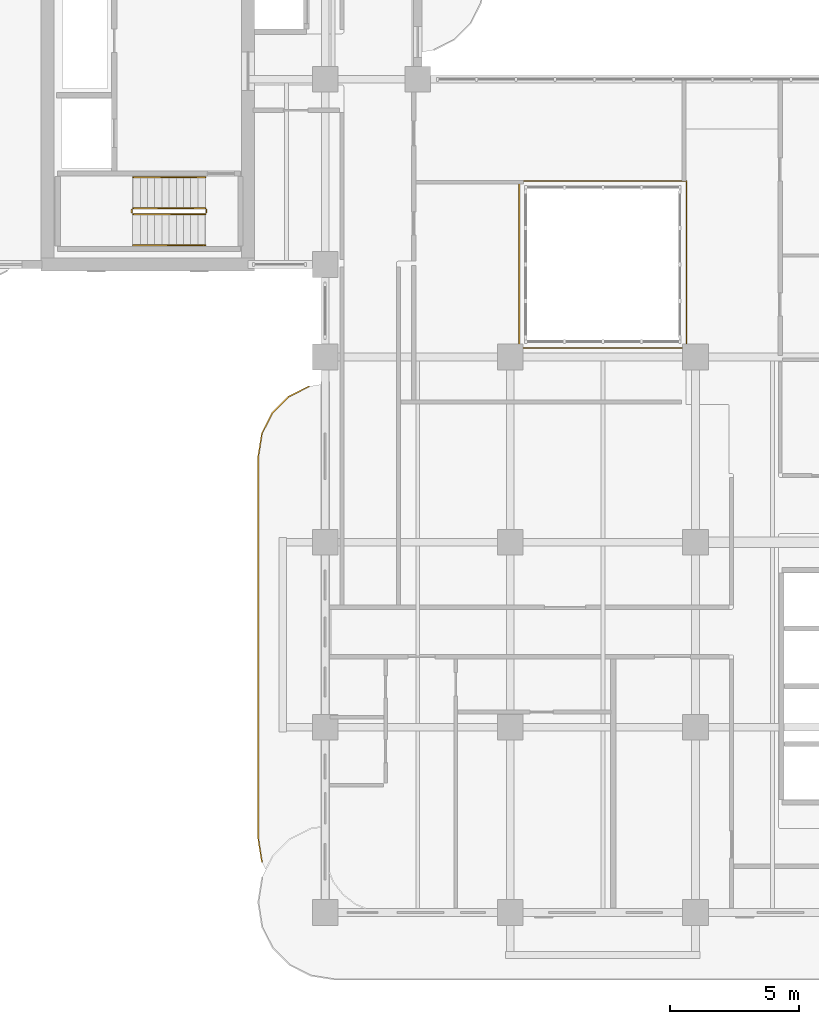
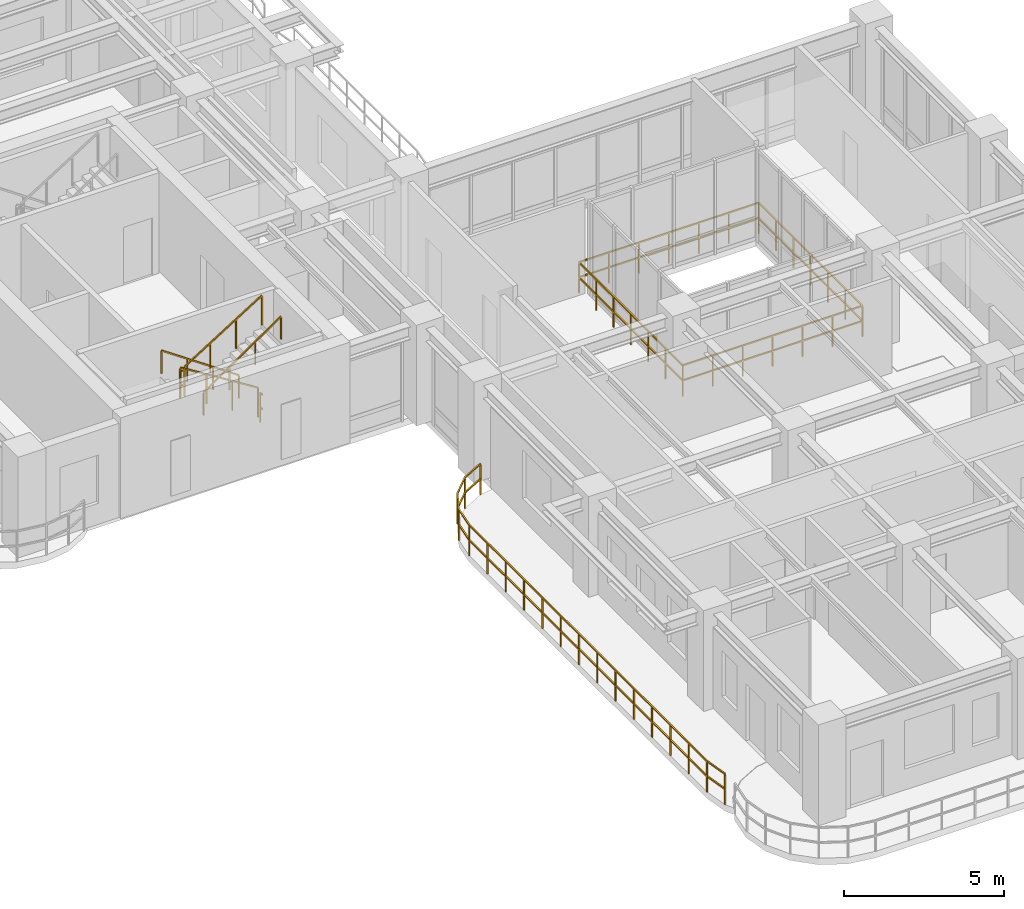
# One storey, part 16 of 20: 8 railings.
"""IFC4 building model written with IfcOpenShell, lengths in metres."""

from ifc_helpers import new_model, si_unit, derived_unit, direction, frame, origin, origin_2d, place, context, subcontext, project, spatial, rectangle, extrude, material, type_object, element, save


model = new_model("IFC4")

# Units and contexts
model_context = context("Model", 3, precision=1e-05, world=origin(), true_north=direction((0.0, 1.0)))
body_context = subcontext(model_context, "Body", "Model", "MODEL_VIEW")
ifc_project = project(units=[si_unit("LENGTHUNIT", "METRE"), si_unit("AREAUNIT", "SQUARE_METRE"), si_unit("VOLUMEUNIT", "CUBIC_METRE"), si_unit("PLANEANGLEUNIT", "RADIAN"), si_unit("MASSUNIT", "GRAM", prefix="KILO"), si_unit("THERMODYNAMICTEMPERATUREUNIT", "KELVIN"), si_unit("POWERUNIT", "WATT"), derived_unit("THERMALTRANSMITTANCEUNIT", [(si_unit("POWERUNIT", "WATT"), 1), (si_unit("AREAUNIT", "SQUARE_METRE"), -1), (si_unit("THERMODYNAMICTEMPERATUREUNIT", "KELVIN"), -1)])], contexts=[model_context])

# Site, building, storey
site_placement = place(None, origin())
site = spatial("IfcSite", under=ifc_project, at=site_placement, CompositionType="ELEMENT")
building_placement = place(site_placement, origin())
building = spatial("IfcBuilding", under=site, at=building_placement, Name="Zahravan Archway Hotel and Residences", CompositionType="ELEMENT")
storey_placement = place(building_placement, frame((0.0, 0.0, 154.14990234375)))
storey = spatial("IfcBuildingStorey", under=building, at=storey_placement, Name="L38", CompositionType="ELEMENT", Elevation=154.14990234375)

# Railings
ifc_material_1 = material(Name="Atrium Laminated Glass Guardrail", Category="glass")
railing_type_1 = type_object("IfcRailingType", Name="RL-ATR-1200", PredefinedType="BALUSTRADE", material=ifc_material_1)
railing_1_placement = place(storey_placement, frame((21.949951171875, 21.949951171875, 0.0)))
element("IfcRailing", 1, at=railing_1_placement, inside=storey, type_object=railing_type_1, Name="L38 Balustrade RL-ATR-L38", PredefinedType="BALUSTRADE", context=body_context, shape_type="SweptSolid", body=[
    extrude(rectangle(XDim=0.048095703125, YDim=0.048095703125, at=origin_2d()), frame((0.0, 0.0, 1.17578125), z_axis=(1.0, 0.0, 0.0), x_axis=(0.0, 1.0, 0.0)), (0.0, 0.0, 1.0), 6.5),
    extrude(rectangle(XDim=0.048095703125, YDim=0.048095703125, at=origin_2d()), frame((0.0, 0.0, 0.60009765625), z_axis=(1.0, 0.0, 0.0), x_axis=(0.0, 1.0, 0.0)), (0.0, 0.0, 1.0), 6.5),
    extrude(rectangle(XDim=0.048095703125, YDim=0.048095703125, at=origin_2d()), frame((6.5, 0.0, 1.17578125), z_axis=(0.0, 1.0, 0.0), x_axis=(-1.0, 0.0, 0.0)), (0.0, 0.0, 1.0), 6.5),
    extrude(rectangle(XDim=0.048095703125, YDim=0.048095703125, at=origin_2d()), frame((6.5, 0.0, 0.60009765625), z_axis=(0.0, 1.0, 0.0), x_axis=(-1.0, 0.0, 0.0)), (0.0, 0.0, 1.0), 6.5),
    extrude(rectangle(XDim=0.048095703125, YDim=0.048095703125, at=origin_2d()), frame((6.5, 6.5, 1.17578125), z_axis=(-1.0, 0.0, 0.0), x_axis=(0.0, -1.0, 0.0)), (0.0, 0.0, 1.0), 6.5),
    extrude(rectangle(XDim=0.048095703125, YDim=0.048095703125, at=origin_2d()), frame((6.5, 6.5, 0.60009765625), z_axis=(-1.0, 0.0, 0.0), x_axis=(0.0, -1.0, 0.0)), (0.0, 0.0, 1.0), 6.5),
    extrude(rectangle(XDim=0.048095703125, YDim=0.048095703125, at=origin_2d()), frame((0.0, 6.5, 1.17578125), z_axis=(0.0, -1.0, 0.0), x_axis=(1.0, 0.0, 0.0)), (0.0, 0.0, 1.0), 6.5),
    extrude(rectangle(XDim=0.048095703125, YDim=0.048095703125, at=origin_2d()), frame((0.0, 6.5, 0.60009765625), z_axis=(0.0, -1.0, 0.0), x_axis=(1.0, 0.0, 0.0)), (0.0, 0.0, 1.0), 6.5),
    extrude(rectangle(XDim=0.0419921875, YDim=0.0419921875, at=origin_2d()), origin(), (0.0, 0.0, 1.0), 1.15185546875),
    extrude(rectangle(XDim=0.0419921875, YDim=0.0419921875, at=origin_2d()), frame((1.083251953125, 0.0, 0.0)), (0.0, 0.0, 1.0), 1.15185546875),
    extrude(rectangle(XDim=0.0419921875, YDim=0.0419921875, at=origin_2d()), frame((2.166748046875, 0.0, 0.0)), (0.0, 0.0, 1.0), 1.15185546875),
    extrude(rectangle(XDim=0.0419921875, YDim=0.0419921875, at=origin_2d()), frame((3.25, 0.0, 0.0)), (0.0, 0.0, 1.0), 1.15185546875),
    extrude(rectangle(XDim=0.0419921875, YDim=0.0419921875, at=origin_2d()), frame((4.333251953125, 0.0, 0.0)), (0.0, 0.0, 1.0), 1.15185546875),
    extrude(rectangle(XDim=0.0419921875, YDim=0.0419921875, at=origin_2d()), frame((5.416748046875, 0.0, 0.0)), (0.0, 0.0, 1.0), 1.15185546875),
    extrude(rectangle(XDim=0.0419921875, YDim=0.0419921875, at=origin_2d()), frame((6.5, 0.0, 0.0)), (0.0, 0.0, 1.0), 1.15185546875),
    extrude(rectangle(XDim=0.0419921875, YDim=0.0419921875, at=origin_2d()), frame((6.5, 1.083251953125, 0.0)), (0.0, 0.0, 1.0), 1.15185546875),
    extrude(rectangle(XDim=0.0419921875, YDim=0.0419921875, at=origin_2d()), frame((6.5, 2.166748046875, 0.0)), (0.0, 0.0, 1.0), 1.15185546875),
    extrude(rectangle(XDim=0.0419921875, YDim=0.0419921875, at=origin_2d()), frame((6.5, 3.25, 0.0)), (0.0, 0.0, 1.0), 1.15185546875),
    extrude(rectangle(XDim=0.0419921875, YDim=0.0419921875, at=origin_2d()), frame((6.5, 4.333251953125, 0.0)), (0.0, 0.0, 1.0), 1.15185546875),
    extrude(rectangle(XDim=0.0419921875, YDim=0.0419921875, at=origin_2d()), frame((6.5, 5.416748046875, 0.0)), (0.0, 0.0, 1.0), 1.15185546875),
    extrude(rectangle(XDim=0.0419921875, YDim=0.0419921875, at=origin_2d()), frame((6.5, 6.5, 0.0)), (0.0, 0.0, 1.0), 1.15185546875),
    extrude(rectangle(XDim=0.0419921875, YDim=0.0419921875, at=origin_2d()), frame((5.416748046875, 6.5, 0.0)), (0.0, 0.0, 1.0), 1.15185546875),
    extrude(rectangle(XDim=0.0419921875, YDim=0.0419921875, at=origin_2d()), frame((4.333251953125, 6.5, 0.0)), (0.0, 0.0, 1.0), 1.15185546875),
    extrude(rectangle(XDim=0.0419921875, YDim=0.0419921875, at=origin_2d()), frame((3.25, 6.5, 0.0)), (0.0, 0.0, 1.0), 1.15185546875),
    extrude(rectangle(XDim=0.0419921875, YDim=0.0419921875, at=origin_2d()), frame((2.166748046875, 6.5, 0.0)), (0.0, 0.0, 1.0), 1.15185546875),
    extrude(rectangle(XDim=0.0419921875, YDim=0.0419921875, at=origin_2d()), frame((1.083251953125, 6.5, 0.0)), (0.0, 0.0, 1.0), 1.15185546875),
    extrude(rectangle(XDim=0.0419921875, YDim=0.0419921875, at=origin_2d()), frame((0.0, 6.5, 0.0)), (0.0, 0.0, 1.0), 1.15185546875),
    extrude(rectangle(XDim=0.0419921875, YDim=0.0419921875, at=origin_2d()), frame((0.0, 5.416748046875, 0.0)), (0.0, 0.0, 1.0), 1.15185546875),
    extrude(rectangle(XDim=0.0419921875, YDim=0.0419921875, at=origin_2d()), frame((0.0, 4.333251953125, 0.0)), (0.0, 0.0, 1.0), 1.15185546875),
    extrude(rectangle(XDim=0.0419921875, YDim=0.0419921875, at=origin_2d()), frame((0.0, 3.25, 0.0)), (0.0, 0.0, 1.0), 1.15185546875),
    extrude(rectangle(XDim=0.0419921875, YDim=0.0419921875, at=origin_2d()), frame((0.0, 2.166748046875, 0.0)), (0.0, 0.0, 1.0), 1.15185546875),
    extrude(rectangle(XDim=0.0419921875, YDim=0.0419921875, at=origin_2d()), frame((0.0, 1.083251953125, 0.0)), (0.0, 0.0, 1.0), 1.15185546875),
])
ifc_material_2 = material(Name="Bronze & Laminated Glass Balustrade", Category="glass")
railing_type_2 = type_object("IfcRailingType", Name="RL-BAL-1200", PredefinedType="BALUSTRADE", material=ifc_material_2)
railing_2_placement = place(storey_placement, frame((11.939453125, 1.96923828125, 0.0)))
element("IfcRailing", 2, at=railing_2_placement, inside=storey, type_object=railing_type_2, Name="L38 Balustrade RL-SLB-BAL-L38-WA-1", PredefinedType="BALUSTRADE", context=body_context, shape_type="SweptSolid", body=[
    extrude(rectangle(XDim=0.048095703125, YDim=0.048095703125, at=origin_2d()), frame((0.0, 0.0, 1.17578125), z_axis=(-0.156314005608, 0.987707411965, 0.0), x_axis=(-0.987707411965, -0.156314005608, 0.0)), (0.0, 0.0, 1.0), 0.891845703125),
    extrude(rectangle(XDim=0.048095703125, YDim=0.048095703125, at=origin_2d()), frame((0.0, 0.0, 0.60009765625), z_axis=(-0.156314005608, 0.987707411965, 0.0), x_axis=(-0.987707411965, -0.156314005608, 0.0)), (0.0, 0.0, 1.0), 0.891845703125),
    extrude(rectangle(XDim=0.048095703125, YDim=0.048095703125, at=origin_2d()), frame((-0.139404296875, 0.880859375, 1.17578125), z_axis=(0.0, 1.0, 0.0), x_axis=(-1.0, 0.0, 0.0)), (0.0, 0.0, 1.0), 14.89990234375),
    extrude(rectangle(XDim=0.048095703125, YDim=0.048095703125, at=origin_2d()), frame((-0.139404296875, 0.880859375, 0.60009765625), z_axis=(0.0, 1.0, 0.0), x_axis=(-1.0, 0.0, 0.0)), (0.0, 0.0, 1.0), 14.89990234375),
    extrude(rectangle(XDim=0.048095703125, YDim=0.048095703125, at=origin_2d()), frame((-0.139404296875, 15.78076171875, 1.17578125), z_axis=(0.156356282588, 0.987700720307, 0.0), x_axis=(-0.987700720307, 0.156356282588, 0.0)), (0.0, 0.0, 1.0), 0.8916015625),
    extrude(rectangle(XDim=0.048095703125, YDim=0.048095703125, at=origin_2d()), frame((-0.139404296875, 15.78076171875, 0.60009765625), z_axis=(0.156356282588, 0.987700720307, 0.0), x_axis=(-0.987700720307, 0.156356282588, 0.0)), (0.0, 0.0, 1.0), 0.8916015625),
    extrude(rectangle(XDim=0.048095703125, YDim=0.048095703125, at=origin_2d()), frame((0.0, 16.661376953125, 1.17578125), z_axis=(0.45388067135, 0.891062476022, 0.0), x_axis=(-0.891062476022, 0.45388067135, 0.0)), (0.0, 0.0, 1.0), 0.891845703125),
    extrude(rectangle(XDim=0.048095703125, YDim=0.048095703125, at=origin_2d()), frame((0.0, 16.661376953125, 0.60009765625), z_axis=(0.45388067135, 0.891062476022, 0.0), x_axis=(-0.891062476022, 0.45388067135, 0.0)), (0.0, 0.0, 1.0), 0.891845703125),
    extrude(rectangle(XDim=0.048095703125, YDim=0.048095703125, at=origin_2d()), frame((0.40478515625, 17.4560546875, 1.17578125), z_axis=(0.70724367147, 0.706969864397, 0.0), x_axis=(-0.706969864397, 0.70724367147, 0.0)), (0.0, 0.0, 1.0), 0.8916015625),
    extrude(rectangle(XDim=0.048095703125, YDim=0.048095703125, at=origin_2d()), frame((0.40478515625, 17.4560546875, 0.60009765625), z_axis=(0.70724367147, 0.706969864397, 0.0), x_axis=(-0.706969864397, 0.70724367147, 0.0)), (0.0, 0.0, 1.0), 0.8916015625),
    extrude(rectangle(XDim=0.048095703125, YDim=0.048095703125, at=origin_2d()), frame((1.035400390625, 18.08642578125, 1.17578125), z_axis=(0.891006060389, 0.453991409995, 0.0), x_axis=(-0.453991409995, 0.891006060389, 0.0)), (0.0, 0.0, 1.0), 0.8916015625),
    extrude(rectangle(XDim=0.048095703125, YDim=0.048095703125, at=origin_2d()), frame((1.035400390625, 18.08642578125, 0.60009765625), z_axis=(0.891006060389, 0.453991409995, 0.0), x_axis=(-0.453991409995, 0.891006060389, 0.0)), (0.0, 0.0, 1.0), 0.8916015625),
    extrude(rectangle(XDim=0.0419921875, YDim=0.0419921875, at=origin_2d()), origin(), (0.0, 0.0, 1.0), 1.15185546875),
    extrude(rectangle(XDim=0.0419921875, YDim=0.0419921875, at=origin_2d()), frame((-0.139404296875, 0.880859375, 0.0)), (0.0, 0.0, 1.0), 1.15185546875),
    extrude(rectangle(XDim=0.0419921875, YDim=0.0419921875, at=origin_2d()), frame((-0.139404296875, 2.027099609375, 0.0)), (0.0, 0.0, 1.0), 1.15185546875),
    extrude(rectangle(XDim=0.0419921875, YDim=0.0419921875, at=origin_2d()), frame((-0.139404296875, 3.173095703125, 0.0)), (0.0, 0.0, 1.0), 1.15185546875),
    extrude(rectangle(XDim=0.0419921875, YDim=0.0419921875, at=origin_2d()), frame((-0.139404296875, 4.3193359375, 0.0)), (0.0, 0.0, 1.0), 1.15185546875),
    extrude(rectangle(XDim=0.0419921875, YDim=0.0419921875, at=origin_2d()), frame((-0.139404296875, 5.46533203125, 0.0)), (0.0, 0.0, 1.0), 1.15185546875),
    extrude(rectangle(XDim=0.0419921875, YDim=0.0419921875, at=origin_2d()), frame((-0.139404296875, 6.611572265625, 0.0)), (0.0, 0.0, 1.0), 1.15185546875),
    extrude(rectangle(XDim=0.0419921875, YDim=0.0419921875, at=origin_2d()), frame((-0.139404296875, 7.7578125, 0.0)), (0.0, 0.0, 1.0), 1.15185546875),
    extrude(rectangle(XDim=0.0419921875, YDim=0.0419921875, at=origin_2d()), frame((-0.139404296875, 8.90380859375, 0.0)), (0.0, 0.0, 1.0), 1.15185546875),
    extrude(rectangle(XDim=0.0419921875, YDim=0.0419921875, at=origin_2d()), frame((-0.139404296875, 10.050048828125, 0.0)), (0.0, 0.0, 1.0), 1.15185546875),
    extrude(rectangle(XDim=0.0419921875, YDim=0.0419921875, at=origin_2d()), frame((-0.139404296875, 11.1962890625, 0.0)), (0.0, 0.0, 1.0), 1.15185546875),
    extrude(rectangle(XDim=0.0419921875, YDim=0.0419921875, at=origin_2d()), frame((-0.139404296875, 12.34228515625, 0.0)), (0.0, 0.0, 1.0), 1.15185546875),
    extrude(rectangle(XDim=0.0419921875, YDim=0.0419921875, at=origin_2d()), frame((-0.139404296875, 13.488525390625, 0.0)), (0.0, 0.0, 1.0), 1.15185546875),
    extrude(rectangle(XDim=0.0419921875, YDim=0.0419921875, at=origin_2d()), frame((-0.139404296875, 14.634521484375, 0.0)), (0.0, 0.0, 1.0), 1.15185546875),
    extrude(rectangle(XDim=0.0419921875, YDim=0.0419921875, at=origin_2d()), frame((-0.139404296875, 15.78076171875, 0.0)), (0.0, 0.0, 1.0), 1.15185546875),
    extrude(rectangle(XDim=0.0419921875, YDim=0.0419921875, at=origin_2d()), frame((0.0, 16.661376953125, 0.0)), (0.0, 0.0, 1.0), 1.15185546875),
    extrude(rectangle(XDim=0.0419921875, YDim=0.0419921875, at=origin_2d()), frame((0.40478515625, 17.4560546875, 0.0)), (0.0, 0.0, 1.0), 1.15185546875),
    extrude(rectangle(XDim=0.0419921875, YDim=0.0419921875, at=origin_2d()), frame((1.035400390625, 18.08642578125, 0.0)), (0.0, 0.0, 1.0), 1.15185546875),
    extrude(rectangle(XDim=0.0419921875, YDim=0.0419921875, at=origin_2d()), frame((1.829833984375, 18.4912109375, 0.0)), (0.0, 0.0, 1.0), 1.15185546875),
])
ifc_material_3 = material(Name="Painted Tubular Steel", Category="steel")
railing_type_3 = type_object("IfcRailingType", Name="RL-STG-1150", PredefinedType="GUARDRAIL", material=ifc_material_3)
railing_3_placement = place(storey_placement, frame((9.72998046875, 27.389892578125, 0.175048828125)))
element("IfcRailing", 3, at=railing_3_placement, inside=storey, type_object=railing_type_3, Name="L38 ST-B1 stair guard 1", PredefinedType="GUARDRAIL", context=body_context, shape_type="SweptSolid", body=[
    extrude(rectangle(XDim=0.048095703125, YDim=0.048095703125, at=origin_2d()), frame((0.0, 0.0, 1.1259765625), z_axis=(-0.848002457836, 0.0, 0.529992293815), x_axis=(0.0, -1.0, 0.0)), (0.0, 0.0, 1.0), 3.302001953125),
    extrude(rectangle(XDim=0.0419921875, YDim=0.0419921875, at=origin_2d()), origin(), (0.0, 0.0, 1.0), 1.101806640625),
    extrude(rectangle(XDim=0.0419921875, YDim=0.0419921875, at=origin_2d()), frame((-0.933349609375, 0.0, 0.583251953125)), (0.0, 0.0, 1.0), 1.101806640625),
    extrude(rectangle(XDim=0.0419921875, YDim=0.0419921875, at=origin_2d()), frame((-1.86669921875, 0.0, 1.166748046875)), (0.0, 0.0, 1.0), 1.101806640625),
    extrude(rectangle(XDim=0.0419921875, YDim=0.0419921875, at=origin_2d()), frame((-2.800048828125, 0.0, 1.75)), (0.0, 0.0, 1.0), 1.101806640625),
])
railing_4_placement = place(storey_placement, frame((6.8798828125, 27.340087890625, 1.925048828125)))
element("IfcRailing", 4, at=railing_4_placement, inside=storey, type_object=railing_type_3, Name="L38 ST-B1 stair guard 2", PredefinedType="GUARDRAIL", context=body_context, shape_type="SweptSolid", body=[
    extrude(rectangle(XDim=0.048095703125, YDim=0.048095703125, at=origin_2d()), frame((0.0, 0.0, 1.1259765625), z_axis=(0.0, -1.0, 0.0), x_axis=(1.0, 0.0, 0.0)), (0.0, 0.0, 1.0), 0.14013671875),
    extrude(rectangle(XDim=0.048095703125, YDim=0.048095703125, at=origin_2d()), frame((0.0, 0.0, 0.574951171875), z_axis=(0.0, -1.0, 0.0), x_axis=(1.0, 0.0, 0.0)), (0.0, 0.0, 1.0), 0.14013671875),
    extrude(rectangle(XDim=0.0419921875, YDim=0.0419921875, at=origin_2d()), origin(), (0.0, 0.0, 1.0), 1.101806640625),
])
railing_5_placement = place(storey_placement, frame((6.929931640625, 27.14990234375, 2.10009765625)))
element("IfcRailing", 5, at=railing_5_placement, inside=storey, type_object=railing_type_3, Name="L38 ST-B1 stair guard 3", PredefinedType="GUARDRAIL", context=body_context, shape_type="SweptSolid", body=[
    extrude(rectangle(XDim=0.048095703125, YDim=0.048095703125, at=origin_2d()), frame((0.0, 0.0, 1.1259765625), z_axis=(0.848002457836, 0.0, 0.529992293815), x_axis=(0.0, 1.0, 0.0)), (0.0, 0.0, 1.0), 3.302001953125),
    extrude(rectangle(XDim=0.0419921875, YDim=0.0419921875, at=origin_2d()), origin(), (0.0, 0.0, 1.0), 1.101806640625),
    extrude(rectangle(XDim=0.0419921875, YDim=0.0419921875, at=origin_2d()), frame((0.933349609375, 0.0, 0.583251953125)), (0.0, 0.0, 1.0), 1.101806640625),
    extrude(rectangle(XDim=0.0419921875, YDim=0.0419921875, at=origin_2d()), frame((1.86669921875, 0.0, 1.166748046875)), (0.0, 0.0, 1.0), 1.101806640625),
    extrude(rectangle(XDim=0.0419921875, YDim=0.0419921875, at=origin_2d()), frame((2.800048828125, 0.0, 1.75)), (0.0, 0.0, 1.0), 1.101806640625),
])
railing_6_placement = place(storey_placement, frame((9.780029296875, 27.340087890625, 0.0)))
element("IfcRailing", 6, at=railing_6_placement, inside=storey, type_object=railing_type_3, Name="L38 ST-B1 stair guard 4", PredefinedType="GUARDRAIL", context=body_context, shape_type="SweptSolid", body=[
    extrude(rectangle(XDim=0.048095703125, YDim=0.048095703125, at=origin_2d()), frame((0.0, 0.0, 1.1259765625), z_axis=(0.0, -1.0, 0.0), x_axis=(1.0, 0.0, 0.0)), (0.0, 0.0, 1.0), 0.14013671875),
    extrude(rectangle(XDim=0.048095703125, YDim=0.048095703125, at=origin_2d()), frame((0.0, 0.0, 0.574951171875), z_axis=(0.0, -1.0, 0.0), x_axis=(1.0, 0.0, 0.0)), (0.0, 0.0, 1.0), 0.14013671875),
    extrude(rectangle(XDim=0.0419921875, YDim=0.0419921875, at=origin_2d()), origin(), (0.0, 0.0, 1.0), 1.101806640625),
])
ifc_material_4 = material(Name="Brushed Stainless Steel", Category="steel")
railing_type_4 = type_object("IfcRailingType", Name="RL-STH-900", PredefinedType="HANDRAIL", material=ifc_material_4)
railing_7_placement = place(storey_placement, frame((9.72998046875, 28.590087890625, 0.175048828125)))
element("IfcRailing", 7, at=railing_7_placement, inside=storey, type_object=railing_type_4, Name="L38 ST-B1 stair handrail 1", PredefinedType="HANDRAIL", context=body_context, shape_type="SweptSolid", body=[
    extrude(rectangle(XDim=0.048095703125, YDim=0.048095703125, at=origin_2d()), frame((0.0, 0.0, 0.8759765625), z_axis=(-0.824039827795, 0.0, 0.566531872191), x_axis=(0.0, -1.0, 0.0)), (0.0, 0.0, 1.0), 3.39794921875),
    extrude(rectangle(XDim=0.0419921875, YDim=0.0419921875, at=origin_2d()), origin(), (0.0, 0.0, 1.0), 0.851806640625),
    extrude(rectangle(XDim=0.0419921875, YDim=0.0419921875, at=origin_2d()), frame((-0.933349609375, 0.0, 0.6416015625)), (0.0, 0.0, 1.0), 0.851806640625),
    extrude(rectangle(XDim=0.0419921875, YDim=0.0419921875, at=origin_2d()), frame((-1.86669921875, 0.0, 1.283447265625)), (0.0, 0.0, 1.0), 0.851806640625),
    extrude(rectangle(XDim=0.0419921875, YDim=0.0419921875, at=origin_2d()), frame((-2.800048828125, 0.0, 1.925048828125)), (0.0, 0.0, 1.0), 0.851806640625),
])
railing_8_placement = place(storey_placement, frame((6.929931640625, 25.949951171875, 2.10009765625)))
element("IfcRailing", 8, at=railing_8_placement, inside=storey, type_object=railing_type_4, Name="L38 ST-B1 stair handrail 2", PredefinedType="HANDRAIL", context=body_context, shape_type="SweptSolid", body=[
    extrude(rectangle(XDim=0.048095703125, YDim=0.048095703125, at=origin_2d()), frame((0.0, 0.0, 0.8759765625), z_axis=(0.824039827795, 0.0, 0.566531872191), x_axis=(0.0, 1.0, 0.0)), (0.0, 0.0, 1.0), 3.39794921875),
    extrude(rectangle(XDim=0.0419921875, YDim=0.0419921875, at=origin_2d()), origin(), (0.0, 0.0, 1.0), 0.851806640625),
    extrude(rectangle(XDim=0.0419921875, YDim=0.0419921875, at=origin_2d()), frame((0.933349609375, 0.0, 0.6416015625)), (0.0, 0.0, 1.0), 0.851806640625),
    extrude(rectangle(XDim=0.0419921875, YDim=0.0419921875, at=origin_2d()), frame((1.86669921875, 0.0, 1.283447265625)), (0.0, 0.0, 1.0), 0.851806640625),
    extrude(rectangle(XDim=0.0419921875, YDim=0.0419921875, at=origin_2d()), frame((2.800048828125, 0.0, 1.925048828125)), (0.0, 0.0, 1.0), 0.851806640625),
])

save(model, "model.ifc")
